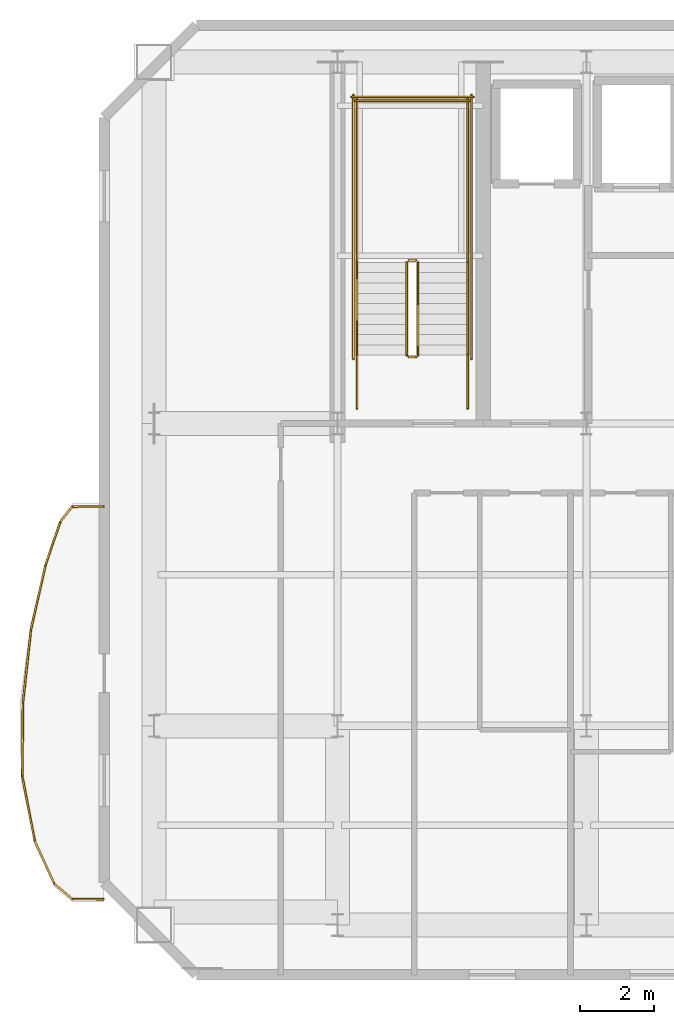
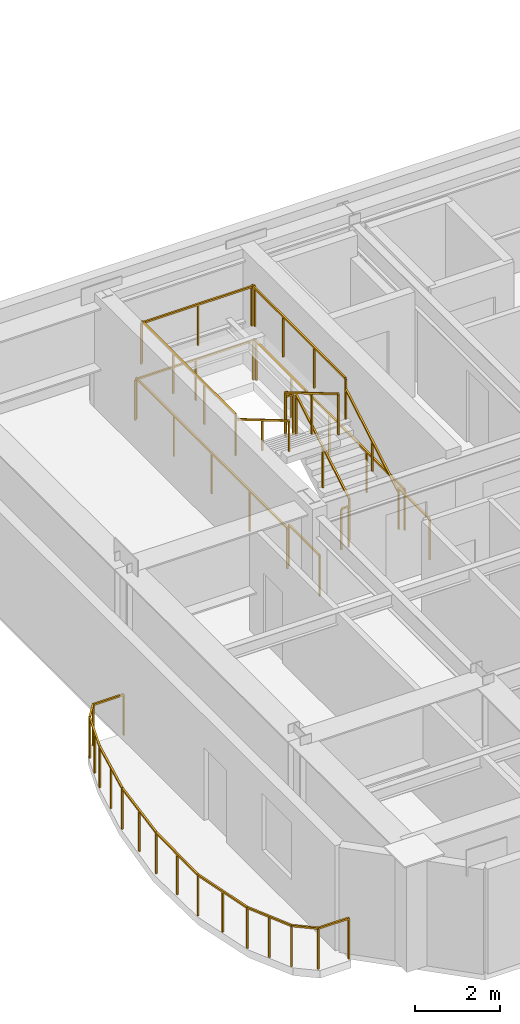
# One storey, part 5 of 6: 24 railings.
"""IFC4 building model written with IfcOpenShell, lengths in metres."""

from ifc_helpers import new_model, si_unit, direction, frame, origin, origin_2d, place, context, subcontext, project, spatial, rectangle, extrude, material, type_object, element, save


model = new_model("IFC4")

# Units and contexts
model_context = context("Model", 3, precision=1e-05, world=origin(), true_north=direction((0.0, 1.0)))
body_context = subcontext(model_context, "Body", "Model", "MODEL_VIEW")
ifc_project = project(units=[si_unit("LENGTHUNIT", "METRE"), si_unit("AREAUNIT", "SQUARE_METRE"), si_unit("VOLUMEUNIT", "CUBIC_METRE"), si_unit("PLANEANGLEUNIT", "RADIAN"), si_unit("MASSUNIT", "GRAM", prefix="KILO")], contexts=[model_context])

# Site, building, storey
site_placement = place(None, origin())
site = spatial("IfcSite", under=ifc_project, at=site_placement, CompositionType="ELEMENT")
building_placement = place(site_placement, origin())
building = spatial("IfcBuilding", under=site, at=building_placement, Name="Haevon Station Towers", CompositionType="ELEMENT")
storey_placement = place(building_placement, frame((0.0, 0.0, 255.89990234375)))
storey = spatial("IfcBuildingStorey", under=building, at=storey_placement, Name="L71", CompositionType="ELEMENT", Elevation=255.89990234375)

# Railings
ifc_material = material(Name="Steel S355", Category="steel")
railing_type_1 = type_object("IfcRailingType", Name="GRD-EXT1200", PredefinedType="GUARDRAIL", material=ifc_material)
railing_1_placement = place(storey_placement, frame((17.6513671875, 35.947265625, 0.0)))
element("IfcRailing", 1, at=railing_1_placement, inside=storey, type_object=railing_type_1, Name="L71 Perimeter Guardrail 1", PredefinedType="GUARDRAIL", context=body_context, shape_type="SweptSolid", body=[
    extrude(rectangle(XDim=0.048095703125, YDim=0.048095703125, at=origin_2d()), frame((0.0, 0.0, 1.17578125), z_axis=(-0.999997283225, -0.002330995998, 0.0), x_axis=(0.002330995998, -0.999997283225, 0.0)), (0.0, 0.0, 1.0), 0.837890625),
    extrude(rectangle(XDim=0.0419921875, YDim=0.0419921875, at=origin_2d()), origin(), (0.0, 0.0, 1.0), 1.15185546875),
    extrude(rectangle(XDim=0.0419921875, YDim=0.0419921875, at=origin_2d()), frame((-0.837890625, -0.001953125, 0.0)), (0.0, 0.0, 1.0), 1.15185546875),
])
railing_2_placement = place(storey_placement, frame((16.8134765625, 35.9453125, 0.0)))
element("IfcRailing", 2, at=railing_2_placement, inside=storey, type_object=railing_type_1, Name="L71 Perimeter Guardrail 2", PredefinedType="GUARDRAIL", context=body_context, shape_type="SweptSolid", body=[
    extrude(rectangle(XDim=0.048095703125, YDim=0.048095703125, at=origin_2d()), frame((0.0, 0.0, 1.17578125), z_axis=(-0.626386088605, -0.779512968463, 0.0), x_axis=(0.779512968463, -0.626386088605, 0.0)), (0.0, 0.0, 1.0), 0.52783203125),
    extrude(rectangle(XDim=0.0419921875, YDim=0.0419921875, at=origin_2d()), origin(), (0.0, 0.0, 1.0), 1.15185546875),
    extrude(rectangle(XDim=0.0419921875, YDim=0.0419921875, at=origin_2d()), frame((-0.33056640625, -0.411376953125, 0.0)), (0.0, 0.0, 1.0), 1.15185546875),
])
railing_3_placement = place(storey_placement, frame((16.48291015625, 35.533935546875, 0.0)))
element("IfcRailing", 3, at=railing_3_placement, inside=storey, type_object=railing_type_1, Name="L71 Perimeter Guardrail 3", PredefinedType="GUARDRAIL", context=body_context, shape_type="SweptSolid", body=[
    extrude(rectangle(XDim=0.048095703125, YDim=0.048095703125, at=origin_2d()), frame((0.0, 0.0, 1.17578125), z_axis=(-0.324031686844, -0.946046228216, 0.0), x_axis=(0.946046228216, -0.324031686844, 0.0)), (0.0, 0.0, 1.0), 1.237060546875),
    extrude(rectangle(XDim=0.0419921875, YDim=0.0419921875, at=origin_2d()), origin(), (0.0, 0.0, 1.0), 1.15185546875),
    extrude(rectangle(XDim=0.0419921875, YDim=0.0419921875, at=origin_2d()), frame((-0.200439453125, -0.585205078125, 0.0)), (0.0, 0.0, 1.0), 1.15185546875),
    extrude(rectangle(XDim=0.0419921875, YDim=0.0419921875, at=origin_2d()), frame((-0.40087890625, -1.17041015625, 0.0)), (0.0, 0.0, 1.0), 1.15185546875),
])
railing_4_placement = place(storey_placement, frame((16.08203125, 34.363525390625, 0.0)))
element("IfcRailing", 4, at=railing_4_placement, inside=storey, type_object=railing_type_1, Name="L71 Perimeter Guardrail 4", PredefinedType="GUARDRAIL", context=body_context, shape_type="SweptSolid", body=[
    extrude(rectangle(XDim=0.048095703125, YDim=0.048095703125, at=origin_2d()), frame((0.0, 0.0, 1.17578125), z_axis=(-0.219570571944, -0.975596619478, 0.0), x_axis=(0.975596619478, -0.219570571944, 0.0)), (0.0, 0.0, 1.0), 1.791259765625),
    extrude(rectangle(XDim=0.0419921875, YDim=0.0419921875, at=origin_2d()), origin(), (0.0, 0.0, 1.0), 1.15185546875),
    extrude(rectangle(XDim=0.0419921875, YDim=0.0419921875, at=origin_2d()), frame((-0.19677734375, -0.873779296875, 0.0)), (0.0, 0.0, 1.0), 1.15185546875),
    extrude(rectangle(XDim=0.0419921875, YDim=0.0419921875, at=origin_2d()), frame((-0.393310546875, -1.74755859375, 0.0)), (0.0, 0.0, 1.0), 1.15185546875),
])
railing_5_placement = place(storey_placement, frame((15.688720703125, 32.615966796875, 0.0)))
element("IfcRailing", 5, at=railing_5_placement, inside=storey, type_object=railing_type_1, Name="L71 Perimeter Guardrail 5", PredefinedType="GUARDRAIL", context=body_context, shape_type="SweptSolid", body=[
    extrude(rectangle(XDim=0.048095703125, YDim=0.048095703125, at=origin_2d()), frame((0.0, 0.0, 1.17578125), z_axis=(-0.108973140027, -0.994044694545, 0.0), x_axis=(0.994044694545, -0.108973140027, 0.0)), (0.0, 0.0, 1.0), 2.0029296875),
    extrude(rectangle(XDim=0.0419921875, YDim=0.0419921875, at=origin_2d()), origin(), (0.0, 0.0, 1.0), 1.15185546875),
    extrude(rectangle(XDim=0.0419921875, YDim=0.0419921875, at=origin_2d()), frame((-0.109130859375, -0.99560546875, 0.0)), (0.0, 0.0, 1.0), 1.15185546875),
    extrude(rectangle(XDim=0.0419921875, YDim=0.0419921875, at=origin_2d()), frame((-0.21826171875, -1.990966796875, 0.0)), (0.0, 0.0, 1.0), 1.15185546875),
])
railing_6_placement = place(storey_placement, frame((15.470458984375, 30.625, 0.0)))
element("IfcRailing", 6, at=railing_6_placement, inside=storey, type_object=railing_type_1, Name="L71 Perimeter Guardrail 6", PredefinedType="GUARDRAIL", context=body_context, shape_type="SweptSolid", body=[
    extrude(rectangle(XDim=0.048095703125, YDim=0.048095703125, at=origin_2d()), frame((0.0, 0.0, 1.17578125), z_axis=(-0.008448333236, -0.999964312196, 0.0), x_axis=(0.999964312196, -0.008448333236, 0.0)), (0.0, 0.0, 1.0), 1.993896484375),
    extrude(rectangle(XDim=0.0419921875, YDim=0.0419921875, at=origin_2d()), origin(), (0.0, 0.0, 1.0), 1.15185546875),
    extrude(rectangle(XDim=0.0419921875, YDim=0.0419921875, at=origin_2d()), frame((-0.00830078125, -0.9970703125, 0.0)), (0.0, 0.0, 1.0), 1.15185546875),
    extrude(rectangle(XDim=0.0419921875, YDim=0.0419921875, at=origin_2d()), frame((-0.016845703125, -1.993896484375, 0.0)), (0.0, 0.0, 1.0), 1.15185546875),
])
railing_7_placement = place(storey_placement, frame((15.45361328125, 28.631103515625, 0.0)))
element("IfcRailing", 7, at=railing_7_placement, inside=storey, type_object=railing_type_1, Name="L71 Perimeter Guardrail 7", PredefinedType="GUARDRAIL", context=body_context, shape_type="SweptSolid", body=[
    extrude(rectangle(XDim=0.048095703125, YDim=0.048095703125, at=origin_2d()), frame((0.0, 0.0, 1.17578125), z_axis=(0.189270206795, -0.981925042363, 0.0), x_axis=(0.981925042363, 0.189270206795, 0.0)), (0.0, 0.0, 1.0), 1.777587890625),
    extrude(rectangle(XDim=0.0419921875, YDim=0.0419921875, at=origin_2d()), origin(), (0.0, 0.0, 1.0), 1.15185546875),
    extrude(rectangle(XDim=0.0419921875, YDim=0.0419921875, at=origin_2d()), frame((0.168212890625, -0.87255859375, 0.0)), (0.0, 0.0, 1.0), 1.15185546875),
    extrude(rectangle(XDim=0.0419921875, YDim=0.0419921875, at=origin_2d()), frame((0.33642578125, -1.745361328125, 0.0)), (0.0, 0.0, 1.0), 1.15185546875),
])
railing_8_placement = place(storey_placement, frame((15.7900390625, 26.8857421875, 0.0)))
element("IfcRailing", 8, at=railing_8_placement, inside=storey, type_object=railing_type_1, Name="L71 Perimeter Guardrail 8", PredefinedType="GUARDRAIL", context=body_context, shape_type="SweptSolid", body=[
    extrude(rectangle(XDim=0.048095703125, YDim=0.048095703125, at=origin_2d()), frame((0.0, 0.0, 1.17578125), z_axis=(0.41447546993, -0.910060484158, 0.0), x_axis=(0.910060484158, 0.41447546993, 0.0)), (0.0, 0.0, 1.0), 1.28515625),
    extrude(rectangle(XDim=0.0419921875, YDim=0.0419921875, at=origin_2d()), origin(), (0.0, 0.0, 1.0), 1.15185546875),
    extrude(rectangle(XDim=0.0419921875, YDim=0.0419921875, at=origin_2d()), frame((0.266357421875, -0.5849609375, 0.0)), (0.0, 0.0, 1.0), 1.15185546875),
    extrude(rectangle(XDim=0.0419921875, YDim=0.0419921875, at=origin_2d()), frame((0.53271484375, -1.169677734375, 0.0)), (0.0, 0.0, 1.0), 1.15185546875),
])
railing_9_placement = place(storey_placement, frame((16.32275390625, 25.716064453125, 0.0)))
element("IfcRailing", 9, at=railing_9_placement, inside=storey, type_object=railing_type_1, Name="L71 Perimeter Guardrail 9", PredefinedType="GUARDRAIL", context=body_context, shape_type="SweptSolid", body=[
    extrude(rectangle(XDim=0.048095703125, YDim=0.048095703125, at=origin_2d()), frame((0.0, 0.0, 1.17578125), z_axis=(0.766342909973, -0.642431742938, 0.0), x_axis=(0.642431742938, 0.766342909973, 0.0)), (0.0, 0.0, 1.0), 0.640380859375),
    extrude(rectangle(XDim=0.0419921875, YDim=0.0419921875, at=origin_2d()), origin(), (0.0, 0.0, 1.0), 1.15185546875),
    extrude(rectangle(XDim=0.0419921875, YDim=0.0419921875, at=origin_2d()), frame((0.49072265625, -0.411376953125, 0.0)), (0.0, 0.0, 1.0), 1.15185546875),
])
railing_10_placement = place(storey_placement, frame((16.8134765625, 25.3046875, 0.0)))
element("IfcRailing", 10, at=railing_10_placement, inside=storey, type_object=railing_type_1, Name="L71 Perimeter Guardrail 10", PredefinedType="GUARDRAIL", context=body_context, shape_type="SweptSolid", body=[
    extrude(rectangle(XDim=0.048095703125, YDim=0.048095703125, at=origin_2d()), frame((0.0, 0.0, 1.17578125), z_axis=(0.999997283225, -0.002330995998, 0.0), x_axis=(0.002330995998, 0.999997283225, 0.0)), (0.0, 0.0, 1.0), 0.837890625),
    extrude(rectangle(XDim=0.0419921875, YDim=0.0419921875, at=origin_2d()), origin(), (0.0, 0.0, 1.0), 1.15185546875),
    extrude(rectangle(XDim=0.0419921875, YDim=0.0419921875, at=origin_2d()), frame((0.837890625, -0.001953125, 0.0)), (0.0, 0.0, 1.0), 1.15185546875),
])
railing_type_2 = type_object("IfcRailingType", Name="GRD-STR1200", PredefinedType="GUARDRAIL", material=ifc_material)
railing_11_placement = place(storey_placement, frame((26.179931640625, 40.050048828125, 0.1650390625)))
element("IfcRailing", 11, at=railing_11_placement, inside=storey, type_object=railing_type_2, Name="L71 ST1 Stair Guard 1", PredefinedType="GUARDRAIL", context=body_context, shape_type="SweptSolid", body=[
    extrude(rectangle(XDim=0.048095703125, YDim=0.048095703125, at=origin_2d()), frame((0.0, 0.0, 1.17578125), z_axis=(0.0, 0.86152411907, 0.507716645641), x_axis=(-1.0, 0.0, 0.0)), (0.0, 0.0, 1.0), 2.925048828125),
    extrude(rectangle(XDim=0.0419921875, YDim=0.0419921875, at=origin_2d()), origin(), (0.0, 0.0, 1.0), 1.15185546875),
    extrude(rectangle(XDim=0.0419921875, YDim=0.0419921875, at=origin_2d()), frame((0.0, 1.260009765625, 0.74267578125)), (0.0, 0.0, 1.0), 1.15185546875),
    extrude(rectangle(XDim=0.0419921875, YDim=0.0419921875, at=origin_2d()), frame((0.0, 2.52001953125, 1.485107421875)), (0.0, 0.0, 1.0), 1.15185546875),
])
railing_12_placement = place(storey_placement, frame((26.1298828125, 42.6201171875, 1.650146484375)))
element("IfcRailing", 12, at=railing_12_placement, inside=storey, type_object=railing_type_2, Name="L71 ST1 Stair Guard 2", PredefinedType="GUARDRAIL", context=body_context, shape_type="SweptSolid", body=[
    extrude(rectangle(XDim=0.048095703125, YDim=0.048095703125, at=origin_2d()), frame((0.0, 0.0, 1.17578125), z_axis=(-1.0, 0.0, 0.0), x_axis=(0.0, -1.0, 0.0)), (0.0, 0.0, 1.0), 0.199951171875),
    extrude(rectangle(XDim=0.0419921875, YDim=0.0419921875, at=origin_2d()), origin(), (0.0, 0.0, 1.0), 1.15185546875),
    extrude(rectangle(XDim=0.0419921875, YDim=0.0419921875, at=origin_2d()), frame((-0.199951171875, 0.0, 0.0)), (0.0, 0.0, 1.0), 1.15185546875),
])
for number, where, name in (
    (13, (27.530029296875, 42.570068359375, 1.650146484375), "L71 ST1 Stair Guard 3"),
    (14, (24.530029296875, 42.570068359375, 1.650146484375), "L71 ST1 Stair Guard 4"),
):
    element("IfcRailing", number, at=place(storey_placement, frame(where)), inside=storey, type_object=railing_type_2, Name=name, PredefinedType="GUARDRAIL", context=body_context, shape_type="SweptSolid", body=[
        extrude(rectangle(XDim=0.048095703125, YDim=0.048095703125, at=origin_2d()), frame((0.0, 0.0, 1.17578125), z_axis=(0.0, 1.0, 0.0), x_axis=(-1.0, 0.0, 0.0)), (0.0, 0.0, 1.0), 4.429931640625),
        extrude(rectangle(XDim=0.0419921875, YDim=0.0419921875, at=origin_2d()), origin(), (0.0, 0.0, 1.0), 1.15185546875),
        extrude(rectangle(XDim=0.0419921875, YDim=0.0419921875, at=origin_2d()), frame((0.0, 1.4765625, 0.0)), (0.0, 0.0, 1.0), 1.15185546875),
        extrude(rectangle(XDim=0.0419921875, YDim=0.0419921875, at=origin_2d()), frame((0.0, 2.953369140625, 0.0)), (0.0, 0.0, 1.0), 1.15185546875),
        extrude(rectangle(XDim=0.0419921875, YDim=0.0419921875, at=origin_2d()), frame((0.0, 4.429931640625, 0.0)), (0.0, 0.0, 1.0), 1.15185546875),
    ])
railing_13_placement = place(storey_placement, frame((27.580078125, 46.949951171875, 1.650146484375)))
element("IfcRailing", 15, at=railing_13_placement, inside=storey, type_object=railing_type_2, Name="L71 ST1 Stair Guard 5", PredefinedType="GUARDRAIL", context=body_context, shape_type="SweptSolid", body=[
    extrude(rectangle(XDim=0.048095703125, YDim=0.048095703125, at=origin_2d()), frame((0.0, 0.0, 1.17578125), z_axis=(-1.0, 0.0, 0.0), x_axis=(0.0, -1.0, 0.0)), (0.0, 0.0, 1.0), 3.10009765625),
    extrude(rectangle(XDim=0.0419921875, YDim=0.0419921875, at=origin_2d()), origin(), (0.0, 0.0, 1.0), 1.15185546875),
    extrude(rectangle(XDim=0.0419921875, YDim=0.0419921875, at=origin_2d()), frame((-1.550048828125, 0.0, 0.0)), (0.0, 0.0, 1.0), 1.15185546875),
    extrude(rectangle(XDim=0.0419921875, YDim=0.0419921875, at=origin_2d()), frame((-3.10009765625, 0.0, 0.0)), (0.0, 0.0, 1.0), 1.15185546875),
])
railing_14_placement = place(storey_placement, frame((25.8798828125, 42.570068359375, 1.815185546875)))
element("IfcRailing", 16, at=railing_14_placement, inside=storey, type_object=railing_type_2, Name="L71 ST1 Stair Guard 6", PredefinedType="GUARDRAIL", context=body_context, shape_type="SweptSolid", body=[
    extrude(rectangle(XDim=0.048095703125, YDim=0.048095703125, at=origin_2d()), frame((0.0, 0.0, 1.17578125), z_axis=(0.0, -0.861560626758, 0.507654692109), x_axis=(1.0, 0.0, 0.0)), (0.0, 0.0, 1.0), 2.925048828125),
    extrude(rectangle(XDim=0.0419921875, YDim=0.0419921875, at=origin_2d()), origin(), (0.0, 0.0, 1.0), 1.15185546875),
    extrude(rectangle(XDim=0.0419921875, YDim=0.0419921875, at=origin_2d()), frame((0.0, -1.260009765625, 0.742431640625)), (0.0, 0.0, 1.0), 1.15185546875),
    extrude(rectangle(XDim=0.0419921875, YDim=0.0419921875, at=origin_2d()), frame((0.0, -2.52001953125, 1.48486328125)), (0.0, 0.0, 1.0), 1.15185546875),
])
railing_15_placement = place(storey_placement, frame((26.1298828125, 40.0, 0.0)))
element("IfcRailing", 17, at=railing_15_placement, inside=storey, type_object=railing_type_2, Name="L71 ST1 Stair Guard 7", PredefinedType="GUARDRAIL", context=body_context, shape_type="SweptSolid", body=[
    extrude(rectangle(XDim=0.048095703125, YDim=0.048095703125, at=origin_2d()), frame((0.0, 0.0, 1.17578125), z_axis=(-1.0, 0.0, 0.0), x_axis=(0.0, -1.0, 0.0)), (0.0, 0.0, 1.0), 0.199951171875),
    extrude(rectangle(XDim=0.0419921875, YDim=0.0419921875, at=origin_2d()), origin(), (0.0, 0.0, 1.0), 1.15185546875),
    extrude(rectangle(XDim=0.0419921875, YDim=0.0419921875, at=origin_2d()), frame((-0.199951171875, 0.0, 0.0)), (0.0, 0.0, 1.0), 1.15185546875),
])
for number, where, name in (
    (18, (27.530029296875, 38.60009765625, 0.0), "L71 ST1 Stair Guard 8"),
    (19, (24.530029296875, 38.60009765625, 0.0), "L71 ST1 Stair Guard 9"),
):
    element("IfcRailing", number, at=place(storey_placement, frame(where)), inside=storey, type_object=railing_type_2, Name=name, PredefinedType="GUARDRAIL", context=body_context, shape_type="SweptSolid", body=[
        extrude(rectangle(XDim=0.048095703125, YDim=0.048095703125, at=origin_2d()), frame((0.0, 0.0, 1.17578125), z_axis=(0.0, 1.0, 0.0), x_axis=(-1.0, 0.0, 0.0)), (0.0, 0.0, 1.0), 1.449951171875),
        extrude(rectangle(XDim=0.0419921875, YDim=0.0419921875, at=origin_2d()), origin(), (0.0, 0.0, 1.0), 1.15185546875),
        extrude(rectangle(XDim=0.0419921875, YDim=0.0419921875, at=origin_2d()), frame((0.0, 1.449951171875, 0.0)), (0.0, 0.0, 1.0), 1.15185546875),
    ])
for number, where, name in (
    (20, (27.6298828125, 39.949951171875, 0.0), "L71 ST1 Stair Guard 10"),
    (21, (24.429931640625, 39.949951171875, 0.0), "L71 ST1 Stair Guard 11"),
):
    element("IfcRailing", number, at=place(storey_placement, frame(where)), inside=storey, type_object=railing_type_2, Name=name, PredefinedType="GUARDRAIL", context=body_context, shape_type="SweptSolid", body=[
        extrude(rectangle(XDim=0.048095703125, YDim=0.048095703125, at=origin_2d()), frame((0.0, 0.0, 1.17578125), z_axis=(0.0, 1.0, 0.0), x_axis=(-1.0, 0.0, 0.0)), (0.0, 0.0, 1.0), 7.150146484375),
        extrude(rectangle(XDim=0.0419921875, YDim=0.0419921875, at=origin_2d()), origin(), (0.0, 0.0, 1.0), 1.15185546875),
        extrude(rectangle(XDim=0.0419921875, YDim=0.0419921875, at=origin_2d()), frame((0.0, 1.78759765625, 0.0)), (0.0, 0.0, 1.0), 1.15185546875),
        extrude(rectangle(XDim=0.0419921875, YDim=0.0419921875, at=origin_2d()), frame((0.0, 3.5751953125, 0.0)), (0.0, 0.0, 1.0), 1.15185546875),
        extrude(rectangle(XDim=0.0419921875, YDim=0.0419921875, at=origin_2d()), frame((0.0, 5.362548828125, 0.0)), (0.0, 0.0, 1.0), 1.15185546875),
        extrude(rectangle(XDim=0.0419921875, YDim=0.0419921875, at=origin_2d()), frame((0.0, 7.150146484375, 0.0)), (0.0, 0.0, 1.0), 1.15185546875),
    ])
railing_16_placement = place(storey_placement, frame((27.679931640625, 47.050048828125, 0.0)))
element("IfcRailing", 22, at=railing_16_placement, inside=storey, type_object=railing_type_2, Name="L71 ST1 Stair Guard 12", PredefinedType="GUARDRAIL", context=body_context, shape_type="SweptSolid", body=[
    extrude(rectangle(XDim=0.048095703125, YDim=0.048095703125, at=origin_2d()), frame((0.0, 0.0, 1.17578125), z_axis=(-1.0, 0.0, 0.0), x_axis=(0.0, -1.0, 0.0)), (0.0, 0.0, 1.0), 3.300048828125),
    extrude(rectangle(XDim=0.0419921875, YDim=0.0419921875, at=origin_2d()), origin(), (0.0, 0.0, 1.0), 1.15185546875),
    extrude(rectangle(XDim=0.0419921875, YDim=0.0419921875, at=origin_2d()), frame((-1.64990234375, 0.0, 0.0)), (0.0, 0.0, 1.0), 1.15185546875),
    extrude(rectangle(XDim=0.0419921875, YDim=0.0419921875, at=origin_2d()), frame((-3.300048828125, 0.0, 0.0)), (0.0, 0.0, 1.0), 1.15185546875),
])
railing_type_3 = type_object("IfcRailingType", Name="HND-STR900", PredefinedType="HANDRAIL", material=ifc_material)
railing_17_placement = place(storey_placement, frame((27.530029296875, 40.050048828125, 0.1650390625)))
element("IfcRailing", 23, at=railing_17_placement, inside=storey, type_object=railing_type_3, Name="L71 ST1 Stair Handrail 1", PredefinedType="HANDRAIL", context=body_context, shape_type="SweptSolid", body=[
    extrude(rectangle(XDim=0.048095703125, YDim=0.048095703125, at=origin_2d()), frame((0.0, 0.0, 0.8759765625), z_axis=(0.0, 0.86152411907, 0.507716645641), x_axis=(-1.0, 0.0, 0.0)), (0.0, 0.0, 1.0), 2.925048828125),
    extrude(rectangle(XDim=0.0419921875, YDim=0.0419921875, at=origin_2d()), origin(), (0.0, 0.0, 1.0), 0.851806640625),
    extrude(rectangle(XDim=0.0419921875, YDim=0.0419921875, at=origin_2d()), frame((0.0, 1.260009765625, 0.74267578125)), (0.0, 0.0, 1.0), 0.851806640625),
    extrude(rectangle(XDim=0.0419921875, YDim=0.0419921875, at=origin_2d()), frame((0.0, 2.52001953125, 1.485107421875)), (0.0, 0.0, 1.0), 0.851806640625),
])
railing_18_placement = place(storey_placement, frame((24.530029296875, 42.570068359375, 1.815185546875)))
element("IfcRailing", 24, at=railing_18_placement, inside=storey, type_object=railing_type_3, Name="L71 ST1 Stair Handrail 2", PredefinedType="HANDRAIL", context=body_context, shape_type="SweptSolid", body=[
    extrude(rectangle(XDim=0.048095703125, YDim=0.048095703125, at=origin_2d()), frame((0.0, 0.0, 0.8759765625), z_axis=(0.0, -0.861560626758, 0.507654692109), x_axis=(1.0, 0.0, 0.0)), (0.0, 0.0, 1.0), 2.925048828125),
    extrude(rectangle(XDim=0.0419921875, YDim=0.0419921875, at=origin_2d()), origin(), (0.0, 0.0, 1.0), 0.851806640625),
    extrude(rectangle(XDim=0.0419921875, YDim=0.0419921875, at=origin_2d()), frame((0.0, -1.260009765625, 0.742431640625)), (0.0, 0.0, 1.0), 0.851806640625),
    extrude(rectangle(XDim=0.0419921875, YDim=0.0419921875, at=origin_2d()), frame((0.0, -2.52001953125, 1.48486328125)), (0.0, 0.0, 1.0), 0.851806640625),
])

save(model, "model.ifc")
